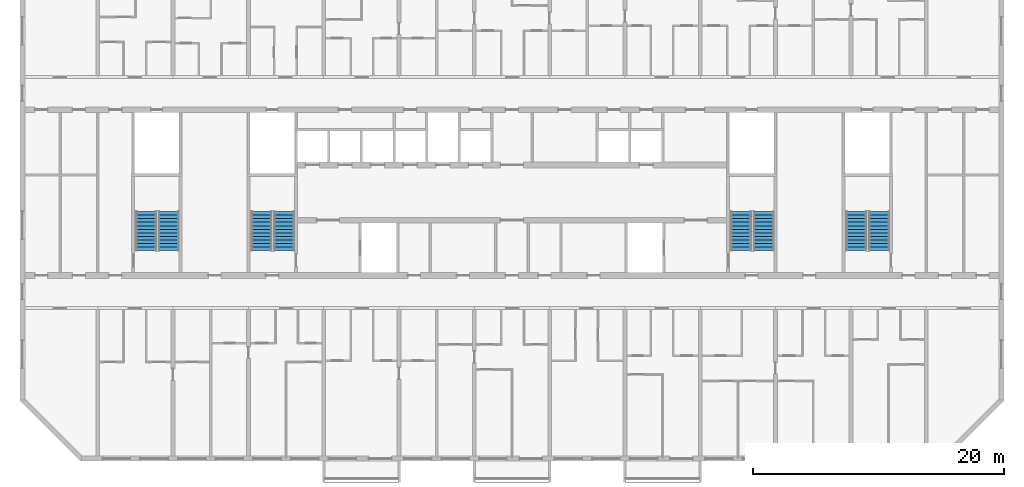
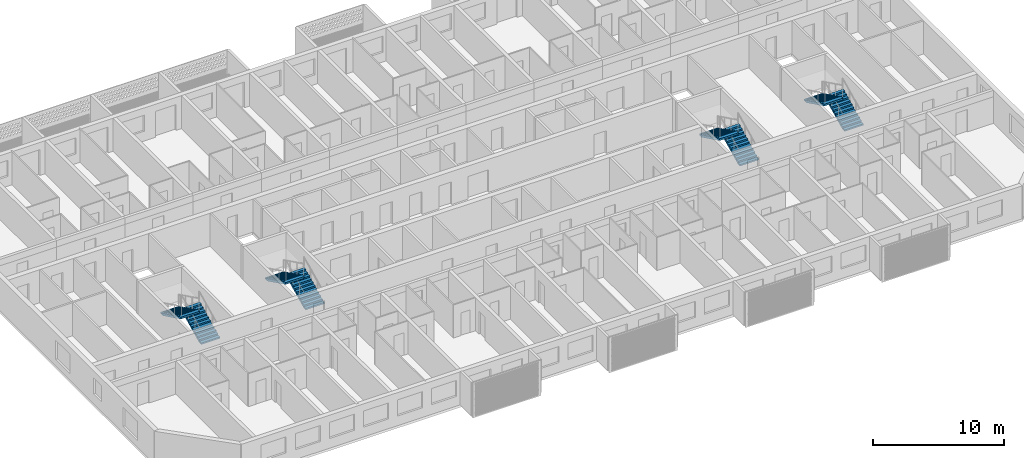
# One storey, part 13 of 32: 8 stair flights, 4 elements without a shape of their own.
"""IFC4 building model written with IfcOpenShell, lengths in metres."""

from ifc_helpers import new_model, si_unit, direction, frame, origin, place, context, subcontext, project, spatial, polyline, outline, extrude, material, layer, layer_set, type_object, element, aggregate, save


model = new_model("IFC4")

# Units and contexts
model_context = context("Model", 3, precision=1e-05, world=origin(), true_north=direction((0.0, 1.0)))
body_context = subcontext(model_context, "Body", "Model", "MODEL_VIEW")
ifc_project = project(units=[si_unit("LENGTHUNIT", "METRE"), si_unit("AREAUNIT", "SQUARE_METRE"), si_unit("VOLUMEUNIT", "CUBIC_METRE"), si_unit("PLANEANGLEUNIT", "RADIAN"), si_unit("MASSUNIT", "GRAM", prefix="KILO")], contexts=[model_context])

# Site, building, storey
site_placement = place(None, origin())
site = spatial("IfcSite", under=ifc_project, at=site_placement, CompositionType="ELEMENT")
building_placement = place(site_placement, origin())
building = spatial("IfcBuilding", under=site, at=building_placement, Name="Poui Terraces", CompositionType="ELEMENT")
storey_placement = place(building_placement, frame((0.0, 0.0, 125.699951171875)))
storey = spatial("IfcBuildingStorey", under=building, at=storey_placement, Name="L34", CompositionType="ELEMENT", Elevation=125.699951171875)

# Stair, stair flights
ifc_material = material(Name="Concrete 65 MPa", Category="concrete")
stair_type = type_object("IfcStairType", Name="EXIT STAIR 1650 65 MPA", PredefinedType="HALF_TURN_STAIR", material=ifc_material)
stair_1_placement = place(storey_placement, origin())
stair_1 = element("IfcStair", 1, at=stair_1_placement, inside=storey, type_object=stair_type, Name="L34 CORE STAIR EAST", PredefinedType="HALF_TURN_STAIR")
ifc_layer = layer(ifc_material, 0.14990234375)
ifc_layer_set = layer_set([ifc_layer], Name="Concrete 65 MPa")
stair_flight_type = type_object("IfcStairFlightType", Name="STAIR FLIGHT 12 RISERS 138 RISE 65 MPA", PredefinedType="STRAIGHT", material=ifc_layer_set)
stair_flight_1_placement = place(storey_placement, frame((71.050048828125, 16.60009765625, 0.0), z_axis=(0.0, 0.0, 1.0), x_axis=(0.0, 1.0, 0.0)))
stair_flight_1 = element("IfcStairFlight", 2, at=stair_flight_1_placement, type_object=stair_flight_type, Name="ST-CE flight 1", NumberOfRisers=12, NumberOfTreads=11, PredefinedType="STRAIGHT", RiserHeight=0.1375, TreadLength=0.28, context=body_context, shape_type="SweptSolid", body=[
    extrude(outline(polyline([(0.0, 0.0), (0.0, 0.137451171875), (0.280029296875, 0.137451171875), (0.280029296875, 0.27490234375), (0.56005859375, 0.27490234375), (0.56005859375, 0.41259765625), (0.840087890625, 0.41259765625), (0.840087890625, 0.550048828125), (1.1201171875, 0.550048828125), (1.1201171875, 0.6875), (1.39990234375, 0.6875), (1.39990234375, 0.824951171875), (1.679931640625, 0.824951171875), (1.679931640625, 0.96240234375), (1.9599609375, 0.96240234375), (1.9599609375, 1.10009765625), (2.239990234375, 1.10009765625), (2.239990234375, 1.237548828125), (2.52001953125, 1.237548828125), (2.52001953125, 1.375), (2.800048828125, 1.375), (2.800048828125, 1.512451171875), (3.080078125, 1.512451171875), (3.080078125, 1.64990234375), (3.080078125, 1.345458984375), (0.340087890625, 0.0), (0.0, 0.0)])), frame((0.0, 0.824951171875, 0.0), z_axis=(0.0, -1.0, 0.0), x_axis=(1.0, 0.0, 0.0)), (0.0, 0.0, 1.0), 1.64990234375),
])
stair_flight_2_placement = place(storey_placement, frame((69.25, 19.679931640625, 1.650146484375), z_axis=(0.0, 0.0, 1.0), x_axis=(0.0, -1.0, 0.0)))
stair_flight_2 = element("IfcStairFlight", 3, at=stair_flight_2_placement, type_object=stair_flight_type, Name="ST-CE flight 2", NumberOfRisers=12, NumberOfTreads=11, PredefinedType="STRAIGHT", RiserHeight=0.1375, TreadLength=0.28, context=body_context, shape_type="SweptSolid", body=[
    extrude(outline(polyline([(0.0, 0.0), (0.0, 0.137451171875), (0.280029296875, 0.137451171875), (0.280029296875, 0.27490234375), (0.56005859375, 0.27490234375), (0.56005859375, 0.41259765625), (0.840087890625, 0.41259765625), (0.840087890625, 0.550048828125), (1.1201171875, 0.550048828125), (1.1201171875, 0.6875), (1.39990234375, 0.6875), (1.39990234375, 0.824951171875), (1.679931640625, 0.824951171875), (1.679931640625, 0.96240234375), (1.9599609375, 0.96240234375), (1.9599609375, 1.10009765625), (2.239990234375, 1.10009765625), (2.239990234375, 1.237548828125), (2.52001953125, 1.237548828125), (2.52001953125, 1.375), (2.800048828125, 1.375), (2.800048828125, 1.512451171875), (3.080078125, 1.512451171875), (3.080078125, 1.64990234375), (3.080078125, 1.345458984375), (0.340087890625, 0.0), (0.0, 0.0)])), frame((0.0, 0.824951171875, 0.0), z_axis=(0.0, -1.0, 0.0), x_axis=(1.0, 0.0, 0.0)), (0.0, 0.0, 1.0), 1.64990234375),
])
aggregate(stair_1, [stair_flight_1, stair_flight_2])

stair_2_placement = place(storey_placement, origin())
stair_2 = element("IfcStair", 4, at=stair_2_placement, inside=storey, type_object=stair_type, Name="L34 CORE STAIR WEST", PredefinedType="HALF_TURN_STAIR")
stair_flight_3_placement = place(storey_placement, frame((32.85009765625, 16.60009765625, 0.0), z_axis=(0.0, 0.0, 1.0), x_axis=(0.0, 1.0, 0.0)))
stair_flight_3 = element("IfcStairFlight", 5, at=stair_flight_3_placement, type_object=stair_flight_type, Name="ST-CW flight 1", NumberOfRisers=12, NumberOfTreads=11, PredefinedType="STRAIGHT", RiserHeight=0.1375, TreadLength=0.28, context=body_context, shape_type="SweptSolid", body=[
    extrude(outline(polyline([(0.0, 0.0), (0.0, 0.137451171875), (0.280029296875, 0.137451171875), (0.280029296875, 0.27490234375), (0.56005859375, 0.27490234375), (0.56005859375, 0.41259765625), (0.840087890625, 0.41259765625), (0.840087890625, 0.550048828125), (1.1201171875, 0.550048828125), (1.1201171875, 0.6875), (1.39990234375, 0.6875), (1.39990234375, 0.824951171875), (1.679931640625, 0.824951171875), (1.679931640625, 0.96240234375), (1.9599609375, 0.96240234375), (1.9599609375, 1.10009765625), (2.239990234375, 1.10009765625), (2.239990234375, 1.237548828125), (2.52001953125, 1.237548828125), (2.52001953125, 1.375), (2.800048828125, 1.375), (2.800048828125, 1.512451171875), (3.080078125, 1.512451171875), (3.080078125, 1.64990234375), (3.080078125, 1.345458984375), (0.340087890625, 0.0), (0.0, 0.0)])), frame((0.0, 0.824951171875, 0.0), z_axis=(0.0, -1.0, 0.0), x_axis=(1.0, 0.0, 0.0)), (0.0, 0.0, 1.0), 1.64990234375),
])
stair_flight_4_placement = place(storey_placement, frame((31.050048828125, 19.679931640625, 1.650146484375), z_axis=(0.0, 0.0, 1.0), x_axis=(0.0, -1.0, 0.0)))
stair_flight_4 = element("IfcStairFlight", 6, at=stair_flight_4_placement, type_object=stair_flight_type, Name="ST-CW flight 2", NumberOfRisers=12, NumberOfTreads=11, PredefinedType="STRAIGHT", RiserHeight=0.1375, TreadLength=0.28, context=body_context, shape_type="SweptSolid", body=[
    extrude(outline(polyline([(0.0, 0.0), (0.0, 0.137451171875), (0.280029296875, 0.137451171875), (0.280029296875, 0.27490234375), (0.56005859375, 0.27490234375), (0.56005859375, 0.41259765625), (0.840087890625, 0.41259765625), (0.840087890625, 0.550048828125), (1.1201171875, 0.550048828125), (1.1201171875, 0.6875), (1.39990234375, 0.6875), (1.39990234375, 0.824951171875), (1.679931640625, 0.824951171875), (1.679931640625, 0.96240234375), (1.9599609375, 0.96240234375), (1.9599609375, 1.10009765625), (2.239990234375, 1.10009765625), (2.239990234375, 1.237548828125), (2.52001953125, 1.237548828125), (2.52001953125, 1.375), (2.800048828125, 1.375), (2.800048828125, 1.512451171875), (3.080078125, 1.512451171875), (3.080078125, 1.64990234375), (3.080078125, 1.345458984375), (0.340087890625, 0.0), (0.0, 0.0)])), frame((0.0, 0.824951171875, 0.0), z_axis=(0.0, -1.0, 0.0), x_axis=(1.0, 0.0, 0.0)), (0.0, 0.0, 1.0), 1.64990234375),
])
aggregate(stair_2, [stair_flight_3, stair_flight_4])

stair_3_placement = place(storey_placement, origin())
stair_3 = element("IfcStair", 7, at=stair_3_placement, inside=storey, type_object=stair_type, Name="L34 TIP STAIR EAST", PredefinedType="HALF_TURN_STAIR")
stair_flight_5_placement = place(storey_placement, frame((80.25, 16.60009765625, 0.0), z_axis=(0.0, 0.0, 1.0), x_axis=(0.0, 1.0, 0.0)))
stair_flight_5 = element("IfcStairFlight", 8, at=stair_flight_5_placement, type_object=stair_flight_type, Name="ST-E flight 1", NumberOfRisers=12, NumberOfTreads=11, PredefinedType="STRAIGHT", RiserHeight=0.1375, TreadLength=0.28, context=body_context, shape_type="SweptSolid", body=[
    extrude(outline(polyline([(0.0, 0.0), (0.0, 0.137451171875), (0.280029296875, 0.137451171875), (0.280029296875, 0.27490234375), (0.56005859375, 0.27490234375), (0.56005859375, 0.41259765625), (0.840087890625, 0.41259765625), (0.840087890625, 0.550048828125), (1.1201171875, 0.550048828125), (1.1201171875, 0.6875), (1.39990234375, 0.6875), (1.39990234375, 0.824951171875), (1.679931640625, 0.824951171875), (1.679931640625, 0.96240234375), (1.9599609375, 0.96240234375), (1.9599609375, 1.10009765625), (2.239990234375, 1.10009765625), (2.239990234375, 1.237548828125), (2.52001953125, 1.237548828125), (2.52001953125, 1.375), (2.800048828125, 1.375), (2.800048828125, 1.512451171875), (3.080078125, 1.512451171875), (3.080078125, 1.64990234375), (3.080078125, 1.345458984375), (0.340087890625, 0.0), (0.0, 0.0)])), frame((0.0, 0.824951171875, 0.0), z_axis=(0.0, -1.0, 0.0), x_axis=(1.0, 0.0, 0.0)), (0.0, 0.0, 1.0), 1.64990234375),
])
stair_flight_6_placement = place(storey_placement, frame((78.449951171875, 19.679931640625, 1.650146484375), z_axis=(0.0, 0.0, 1.0), x_axis=(0.0, -1.0, 0.0)))
stair_flight_6 = element("IfcStairFlight", 9, at=stair_flight_6_placement, type_object=stair_flight_type, Name="ST-E flight 2", NumberOfRisers=12, NumberOfTreads=11, PredefinedType="STRAIGHT", RiserHeight=0.1375, TreadLength=0.28, context=body_context, shape_type="SweptSolid", body=[
    extrude(outline(polyline([(0.0, 0.0), (0.0, 0.137451171875), (0.280029296875, 0.137451171875), (0.280029296875, 0.27490234375), (0.56005859375, 0.27490234375), (0.56005859375, 0.41259765625), (0.840087890625, 0.41259765625), (0.840087890625, 0.550048828125), (1.1201171875, 0.550048828125), (1.1201171875, 0.6875), (1.39990234375, 0.6875), (1.39990234375, 0.824951171875), (1.679931640625, 0.824951171875), (1.679931640625, 0.96240234375), (1.9599609375, 0.96240234375), (1.9599609375, 1.10009765625), (2.239990234375, 1.10009765625), (2.239990234375, 1.237548828125), (2.52001953125, 1.237548828125), (2.52001953125, 1.375), (2.800048828125, 1.375), (2.800048828125, 1.512451171875), (3.080078125, 1.512451171875), (3.080078125, 1.64990234375), (3.080078125, 1.345458984375), (0.340087890625, 0.0), (0.0, 0.0)])), frame((0.0, 0.824951171875, 0.0), z_axis=(0.0, -1.0, 0.0), x_axis=(1.0, 0.0, 0.0)), (0.0, 0.0, 1.0), 1.64990234375),
])
aggregate(stair_3, [stair_flight_5, stair_flight_6])

stair_4_placement = place(storey_placement, origin())
stair_4 = element("IfcStair", 10, at=stair_4_placement, inside=storey, type_object=stair_type, Name="L34 TIP STAIR WEST", PredefinedType="HALF_TURN_STAIR")
stair_flight_7_placement = place(storey_placement, frame((23.64990234375, 16.60009765625, 0.0), z_axis=(0.0, 0.0, 1.0), x_axis=(0.0, 1.0, 0.0)))
stair_flight_7 = element("IfcStairFlight", 11, at=stair_flight_7_placement, type_object=stair_flight_type, Name="ST-W flight 1", NumberOfRisers=12, NumberOfTreads=11, PredefinedType="STRAIGHT", RiserHeight=0.1375, TreadLength=0.28, context=body_context, shape_type="SweptSolid", body=[
    extrude(outline(polyline([(0.0, 0.0), (0.0, 0.137451171875), (0.280029296875, 0.137451171875), (0.280029296875, 0.27490234375), (0.56005859375, 0.27490234375), (0.56005859375, 0.41259765625), (0.840087890625, 0.41259765625), (0.840087890625, 0.550048828125), (1.1201171875, 0.550048828125), (1.1201171875, 0.6875), (1.39990234375, 0.6875), (1.39990234375, 0.824951171875), (1.679931640625, 0.824951171875), (1.679931640625, 0.96240234375), (1.9599609375, 0.96240234375), (1.9599609375, 1.10009765625), (2.239990234375, 1.10009765625), (2.239990234375, 1.237548828125), (2.52001953125, 1.237548828125), (2.52001953125, 1.375), (2.800048828125, 1.375), (2.800048828125, 1.512451171875), (3.080078125, 1.512451171875), (3.080078125, 1.64990234375), (3.080078125, 1.345458984375), (0.340087890625, 0.0), (0.0, 0.0)])), frame((0.0, 0.824951171875, 0.0), z_axis=(0.0, -1.0, 0.0), x_axis=(1.0, 0.0, 0.0)), (0.0, 0.0, 1.0), 1.64990234375),
])
stair_flight_8_placement = place(storey_placement, frame((21.85009765625, 19.679931640625, 1.650146484375), z_axis=(0.0, 0.0, 1.0), x_axis=(0.0, -1.0, 0.0)))
stair_flight_8 = element("IfcStairFlight", 12, at=stair_flight_8_placement, type_object=stair_flight_type, Name="ST-W flight 2", NumberOfRisers=12, NumberOfTreads=11, PredefinedType="STRAIGHT", RiserHeight=0.1375, TreadLength=0.28, context=body_context, shape_type="SweptSolid", body=[
    extrude(outline(polyline([(0.0, 0.0), (0.0, 0.137451171875), (0.280029296875, 0.137451171875), (0.280029296875, 0.27490234375), (0.56005859375, 0.27490234375), (0.56005859375, 0.41259765625), (0.840087890625, 0.41259765625), (0.840087890625, 0.550048828125), (1.1201171875, 0.550048828125), (1.1201171875, 0.6875), (1.39990234375, 0.6875), (1.39990234375, 0.824951171875), (1.679931640625, 0.824951171875), (1.679931640625, 0.96240234375), (1.9599609375, 0.96240234375), (1.9599609375, 1.10009765625), (2.239990234375, 1.10009765625), (2.239990234375, 1.237548828125), (2.52001953125, 1.237548828125), (2.52001953125, 1.375), (2.800048828125, 1.375), (2.800048828125, 1.512451171875), (3.080078125, 1.512451171875), (3.080078125, 1.64990234375), (3.080078125, 1.345458984375), (0.340087890625, 0.0), (0.0, 0.0)])), frame((0.0, 0.824951171875, 0.0), z_axis=(0.0, -1.0, 0.0), x_axis=(1.0, 0.0, 0.0)), (0.0, 0.0, 1.0), 1.64990234375),
])
aggregate(stair_4, [stair_flight_7, stair_flight_8])

save(model, "model.ifc")
